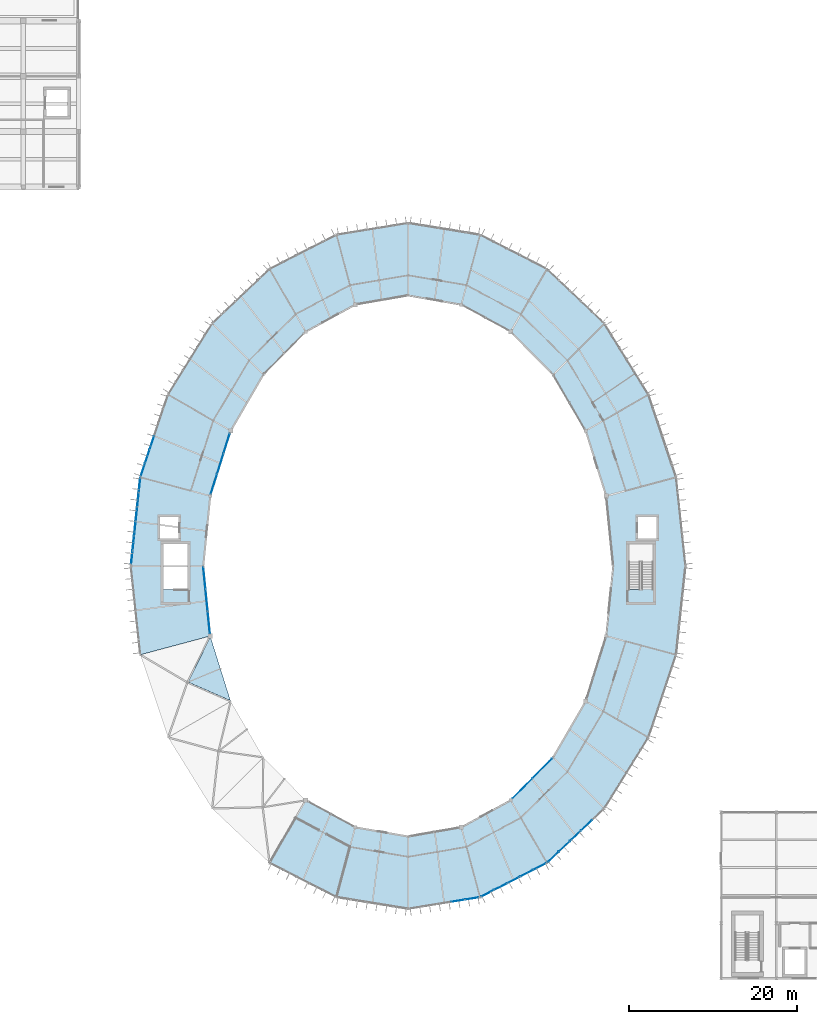
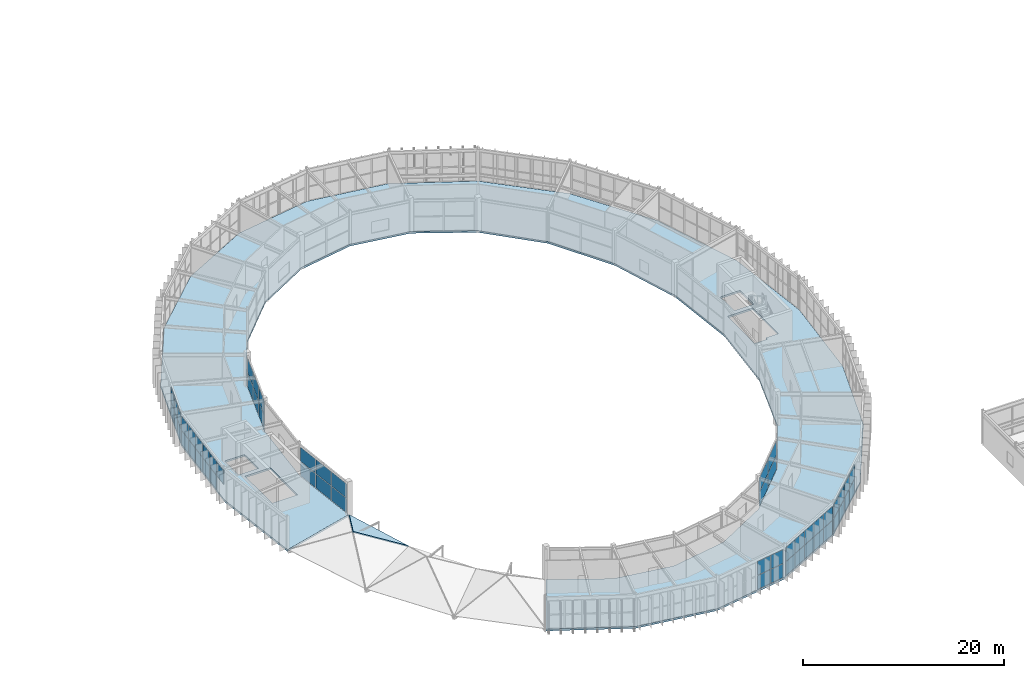
# One storey, part 80 of 106: 55 plates, 2 slabs, 8 elements without a shape of their own.
"""IFC4 building model written with IfcOpenShell, lengths in metres."""

import ifcopenshell
import ifcopenshell.guid

model = None  # the IFC model being written
_history = None  # IfcOwnerHistory: only IFC2X3 demands one
_inside = {}  # id of a spatial element -> (the spatial element, [elements in it])
_under = {}  # id of a project, library or spatial element -> (it, [spatial elements below it])
_declared = {}  # id of a project -> (the project, [libraries it declares])
_typed = {}  # id of a type object -> (the type object, [elements of that type])
_made_of = {}  # id of a material, layer set ... -> (it, [elements and type objects made of it])


def new_model(schema):
    """Start an empty IFC model of exactly this schema.

    Asked for "IFC4X3", IfcOpenShell would pick the latest addendum, in which some entities
    have other attributes; the version numbers below select the first issue.
    IFC2X3 requires an IfcOwnerHistory on every rooted entity: one is made here for all.
    """
    global model, _history
    if schema == "IFC4X3":
        model = ifcopenshell.file(schema_version=(4, 3, 0, 0))
    else:
        model = ifcopenshell.file(schema=schema)
    _inside.clear()
    _under.clear()
    _declared.clear()
    _typed.clear()
    _made_of.clear()
    _history = None
    if model.schema == "IFC2X3":
        org = make("IfcOrganization", Name="unknown")
        user = make(
            "IfcPersonAndOrganization",
            ThePerson=make("IfcPerson", FamilyName="unknown"),
            TheOrganization=org,
        )
        app = make(
            "IfcApplication",
            ApplicationDeveloper=org,
            Version="unknown",
            ApplicationFullName="unknown",
            ApplicationIdentifier="unknown",
        )
        _history = make(
            "IfcOwnerHistory",
            OwningUser=user,
            OwningApplication=app,
            ChangeAction="ADDED",
            CreationDate=0,
        )
    return model


def make(cls, **values):
    """One entity of the class cls with the attributes given. An attribute that is None is left unset."""
    return model.create_entity(
        cls, **{name: value for name, value in values.items() if value is not None}
    )


def rooted(cls, **values):
    """An entity with a GlobalId (a new one), such as an element, a storey or a relation."""
    return make(cls, GlobalId=ifcopenshell.guid.new(), OwnerHistory=_history, **values)


def si_unit(unit_type, name, prefix=None):
    """IfcSIUnit, for example si_unit("LENGTHUNIT", "METRE", prefix="MILLI")."""
    return make("IfcSIUnit", UnitType=unit_type, Prefix=prefix, Name=name)


def assignment(units):
    """IfcUnitAssignment: the units of a project."""
    return None if units is None else make("IfcUnitAssignment", Units=units)


def point(xyz):
    """IfcCartesianPoint."""
    return None if xyz is None else make("IfcCartesianPoint", Coordinates=xyz)


def direction(xyz):
    """IfcDirection."""
    return None if xyz is None else make("IfcDirection", DirectionRatios=xyz)


def frame(location, z_axis=None, x_axis=None):
    """IfcAxis2Placement3D, a coordinate frame: its origin and axes. An axis left out is left unset."""
    return make(
        "IfcAxis2Placement3D",
        Location=point(location),
        Axis=direction(z_axis),
        RefDirection=direction(x_axis),
    )


def frame_2d(location, x_axis=None):
    """IfcAxis2Placement2D, a coordinate frame in the plane: its origin and x axis."""
    return make(
        "IfcAxis2Placement2D", Location=point(location), RefDirection=direction(x_axis)
    )


def origin():
    """The frame at (0, 0, 0) with its axes left unset."""
    return frame((0.0, 0.0, 0.0))


def origin_2d():
    """The frame at (0, 0) in the plane with its x axis left unset."""
    return frame_2d((0.0, 0.0))


def place(relative_to, where):
    """IfcLocalPlacement: puts the frame where relative to a parent placement (None: the world)."""
    return make(
        "IfcLocalPlacement", PlacementRelTo=relative_to, RelativePlacement=where
    )


def context(
    kind, dimensions, precision=None, world=None, true_north=None, identifier=None
):
    """IfcGeometricRepresentationContext, for example the 3D "Model" context."""
    return make(
        "IfcGeometricRepresentationContext",
        ContextIdentifier=identifier,
        ContextType=kind,
        CoordinateSpaceDimension=dimensions,
        Precision=precision,
        WorldCoordinateSystem=world,
        TrueNorth=true_north,
    )


def subcontext(parent, identifier, kind, view, scale=None):
    """IfcGeometricRepresentationSubContext, for example "Body" below "Model"."""
    return make(
        "IfcGeometricRepresentationSubContext",
        ContextIdentifier=identifier,
        ContextType=kind,
        ParentContext=parent,
        TargetScale=scale,
        TargetView=view,
    )


def project(units=None, contexts=None):
    """IfcProject with its units and contexts."""
    return rooted(
        "IfcProject",
        Name="project",
        RepresentationContexts=contexts,
        UnitsInContext=assignment(units),
    )


def spatial(cls, under=None, at=None, **own):
    """A site, building, storey or space (cls), placed at a placement, below another one or the project."""
    s = rooted(cls, ObjectPlacement=at, **own)
    if under is not None:
        _under.setdefault(under.id(), (under, []))[1].append(s)
    return s


def polyline(points):
    """IfcPolyline through the points."""
    return make("IfcPolyline", Points=[point(p) for p in points])


def profile(cls, at=None, kind="AREA", **sizes):
    """A parametric profile (cls). Its sizes go by their IFC names, for example OverallWidth=200.0."""
    return make(cls, ProfileType=kind, Position=at, **sizes)


def rectangle(**sizes):
    """IfcRectangleProfileDef."""
    return profile("IfcRectangleProfileDef", **sizes)


def outline(outer, holes=None, kind="AREA"):
    """IfcArbitraryClosedProfileDef: a profile drawn as a closed curve; with holes, ...WithVoids."""
    if holes is None:
        return make("IfcArbitraryClosedProfileDef", ProfileType=kind, OuterCurve=outer)
    return make(
        "IfcArbitraryProfileDefWithVoids",
        ProfileType=kind,
        OuterCurve=outer,
        InnerCurves=holes,
    )


def extrude(swept, where, along, depth):
    """IfcExtrudedAreaSolid: the profile swept, set in the frame where, extruded along a direction by depth."""
    return make(
        "IfcExtrudedAreaSolid",
        SweptArea=swept,
        Position=where,
        ExtrudedDirection=direction(along),
        Depth=depth,
    )


def shape(context_of_items, identifier, shape_type, items):
    """IfcShapeRepresentation: the items that make up one representation, for example the "Body"."""
    return make(
        "IfcShapeRepresentation",
        ContextOfItems=context_of_items,
        RepresentationIdentifier=identifier,
        RepresentationType=shape_type,
        Items=items,
    )


def material(Name=None, Category=None):
    """IfcMaterial."""
    return make("IfcMaterial", Name=Name, Category=Category)


def layer(
    of_material, thickness, ventilated=None, Name=None, Category=None, Priority=None
):
    """IfcMaterialLayer: one layer of a wall or slab, of a material (None: an air gap)."""
    return make(
        "IfcMaterialLayer",
        Material=of_material,
        LayerThickness=thickness,
        IsVentilated=ventilated,
        Name=Name,
        Category=Category,
        Priority=Priority,
    )


def layer_set(layers, Name=None):
    """IfcMaterialLayerSet."""
    return make("IfcMaterialLayerSet", MaterialLayers=layers, LayerSetName=Name)


def made_of(thing, what):
    """Note that an element or type object is made of a material, layer set ...; save() writes the relation."""
    if what is not None:
        _made_of.setdefault(what.id(), (what, []))[1].append(thing)
    return thing


def type_object(cls, material=None, **own):
    """A type object (cls), such as IfcWallType, which elements share."""
    return made_of(rooted(cls, **own), material)


def element(
    cls,
    number,
    at=None,
    inside=None,
    cuts=None,
    type_object=None,
    material=None,
    context=None,
    identifier="Body",
    shape_type=None,
    held_by="IfcProductDefinitionShape",
    body=None,
    shapes=None,
    **own,
):
    """One element of the class cls, such as IfcWall. Its Tag is "e" and its number.

    at: its placement. inside: the storey or other place that contains it. cuts: it is an
    opening in that element (IfcRelVoidsElement). A single representation is given by context,
    identifier, shape_type and body (its items); several are given by shapes. held_by: the class
    of the entity that holds the representations. save() writes the other relations.
    """
    e = rooted(cls, Tag="e%d" % number, ObjectPlacement=at, **own)
    if body is not None:
        shapes = [shape(context, identifier, shape_type, body)]
    if shapes is not None:
        e.Representation = make(held_by, Representations=shapes)
    if inside is not None:
        _inside.setdefault(inside.id(), (inside, []))[1].append(e)
    if cuts is not None:
        rooted(
            "IfcRelVoidsElement", RelatingBuildingElement=cuts, RelatedOpeningElement=e
        )
    if type_object is not None:
        _typed.setdefault(type_object.id(), (type_object, []))[1].append(e)
    return made_of(e, material)


def aggregate(whole, parts):
    """IfcRelAggregates: a whole, such as a stair, and the parts it consists of."""
    return rooted("IfcRelAggregates", RelatingObject=whole, RelatedObjects=parts)


def save(model, path):
    """Write the relations noted so far, then the file.

    IfcRelAggregates (storeys below a building ...), IfcRelContainedInSpatialStructure (elements
    in a storey), IfcRelDefinesByType, IfcRelAssociatesMaterial and IfcRelDeclares: one each for
    every whole, place, type object, material and project.
    """
    for whole, parts in _under.values():
        aggregate(whole, parts)
    for where, things in _inside.values():
        rooted(
            "IfcRelContainedInSpatialStructure",
            RelatedElements=things,
            RelatingStructure=where,
        )
    for kind, things in _typed.values():
        rooted("IfcRelDefinesByType", RelatedObjects=things, RelatingType=kind)
    for what, things in _made_of.values():
        rooted("IfcRelAssociatesMaterial", RelatedObjects=things, RelatingMaterial=what)
    for by, libraries in _declared.values():
        rooted("IfcRelDeclares", RelatingContext=by, RelatedDefinitions=libraries)
    model.write(path)


model = new_model("IFC4")

# Units and contexts
model_context = context("Model", 3, precision=1e-05, world=origin(), true_north=direction((0.0, 1.0)))
body_context = subcontext(model_context, "Body", "Model", "MODEL_VIEW")
ifc_project = project(units=[si_unit("LENGTHUNIT", "METRE"), si_unit("AREAUNIT", "SQUARE_METRE"), si_unit("VOLUMEUNIT", "CUBIC_METRE"), si_unit("PLANEANGLEUNIT", "RADIAN"), si_unit("MASSUNIT", "GRAM", prefix="KILO")], contexts=[model_context])

# Site, building, storey
site_placement = place(None, origin())
site = spatial("IfcSite", under=ifc_project, at=site_placement, CompositionType="ELEMENT")
building_placement = place(site_placement, origin())
building = spatial("IfcBuilding", under=site, at=building_placement, Name="Karori Crest Natural Sciences Institute", CompositionType="ELEMENT")
storey_placement = place(building_placement, frame((0.0, 0.0, 25.89990234375)))
storey = spatial("IfcBuildingStorey", under=building, at=storey_placement, Name="L06", CompositionType="ELEMENT", Elevation=25.89990234375)

# Curtain wall, plates
ifc_material_1 = material(Name="Anodised architectural aluminium 6063-T6", Category="aluminium")
curtain_wall_type_1 = type_object("IfcCurtainWallType", Name="CWT-09", PredefinedType="NOTDEFINED", material=ifc_material_1)
curtain_wall_1_placement = place(storey_placement, origin())
curtain_wall_1 = element("IfcCurtainWall", 1, at=curtain_wall_1_placement, inside=storey, type_object=curtain_wall_type_1, Name="Curtain wall CW-0211", PredefinedType="NOTDEFINED")
ifc_material_2 = material(Name="Double low-E laminated glass", Category="glass")
ifc_layer_1 = layer(ifc_material_2, 0.02392578125, Name="Double low-E laminated glass")
ifc_layer_set_1 = layer_set([ifc_layer_1], Name="Double low-E laminated glass")
plate_type_1 = type_object("IfcPlateType", Name="CWP-01", PredefinedType="CURTAIN_PANEL", material=ifc_layer_set_1)
plate_1_placement = place(storey_placement, frame((73.970947265625, 10.332275390625, 0.065185546875), z_axis=(0.0, 0.0, 1.0), x_axis=(-0.987011397252, -0.160650246484, 0.0)))
plate_1 = element("IfcPlate", 2, at=plate_1_placement, type_object=plate_type_1, Name="CW-0211 panel 1.1", PredefinedType="CURTAIN_PANEL", context=body_context, shape_type="SweptSolid", body=[
    extrude(rectangle(XDim=1.582275390625, YDim=0.02392578125, at=origin_2d()), origin(), (0.0, 0.0, 1.0), 1.6650390625),
])
plate_2_placement = place(storey_placement, frame((73.970947265625, 10.332275390625, 1.795166015625), z_axis=(0.0, 0.0, 1.0), x_axis=(-0.987011397252, -0.160650246484, 0.0)))
plate_2 = element("IfcPlate", 3, at=plate_2_placement, type_object=plate_type_1, Name="CW-0211 panel 1.2", PredefinedType="CURTAIN_PANEL", context=body_context, shape_type="SweptSolid", body=[
    extrude(rectangle(XDim=1.582275390625, YDim=0.02392578125, at=origin_2d()), origin(), (0.0, 0.0, 1.0), 1.6650390625),
])
plate_3_placement = place(storey_placement, frame((72.328857421875, 10.06494140625, 0.065185546875), z_axis=(0.0, 0.0, 1.0), x_axis=(-0.987011397252, -0.160650246484, 0.0)))
plate_3 = element("IfcPlate", 4, at=plate_3_placement, type_object=plate_type_1, Name="CW-0211 panel 2.1", PredefinedType="CURTAIN_PANEL", context=body_context, shape_type="SweptSolid", body=[
    extrude(rectangle(XDim=1.61474609375, YDim=0.02392578125, at=origin_2d()), origin(), (0.0, 0.0, 1.0), 1.6650390625),
])
plate_4_placement = place(storey_placement, frame((72.328857421875, 10.06494140625, 1.795166015625), z_axis=(0.0, 0.0, 1.0), x_axis=(-0.987011397252, -0.160650246484, 0.0)))
plate_4 = element("IfcPlate", 5, at=plate_4_placement, type_object=plate_type_1, Name="CW-0211 panel 2.2", PredefinedType="CURTAIN_PANEL", context=body_context, shape_type="SweptSolid", body=[
    extrude(rectangle(XDim=1.61474609375, YDim=0.02392578125, at=origin_2d()), origin(), (0.0, 0.0, 1.0), 1.6650390625),
])
aggregate(curtain_wall_1, [plate_1, plate_2, plate_3, plate_4])

curtain_wall_type_2 = type_object("IfcCurtainWallType", Name="CWT-11", PredefinedType="NOTDEFINED", material=ifc_material_1)
curtain_wall_2_placement = place(storey_placement, origin())
curtain_wall_2 = element("IfcCurtainWall", 6, at=curtain_wall_2_placement, inside=storey, type_object=curtain_wall_type_2, Name="Curtain wall CW-0215", PredefinedType="NOTDEFINED")
plate_5_placement = place(storey_placement, frame((79.99658203125, 23.42822265625, 0.06005859375), z_axis=(0.0, 0.0, 1.0), x_axis=(0.702660818381, 0.711524963942, 0.0)))
plate_5 = element("IfcPlate", 7, at=plate_5_placement, type_object=plate_type_1, Name="CW-0215 panel 1.1", PredefinedType="CURTAIN_PANEL", context=body_context, shape_type="SweptSolid", body=[
    extrude(rectangle(XDim=3.286865234375, YDim=0.02392578125, at=origin_2d()), origin(), (0.0, 0.0, 1.0), 1.7099609375),
])
plate_6_placement = place(storey_placement, frame((79.99658203125, 23.42822265625, 1.830078125), z_axis=(0.0, 0.0, 1.0), x_axis=(0.702660818381, 0.711524963942, 0.0)))
plate_6 = element("IfcPlate", 8, at=plate_6_placement, type_object=plate_type_1, Name="CW-0215 panel 1.2", PredefinedType="CURTAIN_PANEL", context=body_context, shape_type="SweptSolid", body=[
    extrude(rectangle(XDim=3.286865234375, YDim=0.02392578125, at=origin_2d()), origin(), (0.0, 0.0, 1.0), 1.7099609375),
])
plate_7_placement = place(storey_placement, frame((82.351806640625, 25.813232421875, 0.06005859375), z_axis=(0.0, 0.0, 1.0), x_axis=(0.702660818381, 0.711524963942, 0.0)))
plate_7 = element("IfcPlate", 9, at=plate_7_placement, type_object=plate_type_1, Name="CW-0215 panel 2.1", PredefinedType="CURTAIN_PANEL", context=body_context, shape_type="SweptSolid", body=[
    extrude(rectangle(XDim=3.286865234375, YDim=0.02392578125, at=origin_2d()), origin(), (0.0, 0.0, 1.0), 1.7099609375),
])
plate_8_placement = place(storey_placement, frame((82.351806640625, 25.813232421875, 1.830078125), z_axis=(0.0, 0.0, 1.0), x_axis=(0.702660818381, 0.711524963942, 0.0)))
plate_8 = element("IfcPlate", 10, at=plate_8_placement, type_object=plate_type_1, Name="CW-0215 panel 2.2", PredefinedType="CURTAIN_PANEL", context=body_context, shape_type="SweptSolid", body=[
    extrude(rectangle(XDim=3.286865234375, YDim=0.02392578125, at=origin_2d()), origin(), (0.0, 0.0, 1.0), 1.7099609375),
])
aggregate(curtain_wall_2, [plate_5, plate_6, plate_7, plate_8])

curtain_wall_3_placement = place(storey_placement, origin())
curtain_wall_3 = element("IfcCurtainWall", 11, at=curtain_wall_3_placement, inside=storey, type_object=curtain_wall_type_2, Name="Curtain wall CW-0236", PredefinedType="NOTDEFINED")
plate_9_placement = place(storey_placement, frame((44.796875, 64.49560546875, 0.06005859375), z_axis=(0.0, 0.0, 1.0), x_axis=(-0.299475254154, -0.954104067778, 0.0)))
plate_9 = element("IfcPlate", 12, at=plate_9_placement, type_object=plate_type_1, Name="CW-0236 panel 1.1", PredefinedType="CURTAIN_PANEL", context=body_context, shape_type="SweptSolid", body=[
    extrude(rectangle(XDim=2.451171875, YDim=0.02392578125, at=origin_2d()), origin(), (0.0, 0.0, 1.0), 1.7099609375),
])
plate_10_placement = place(storey_placement, frame((44.796875, 64.49560546875, 1.830078125), z_axis=(0.0, 0.0, 1.0), x_axis=(-0.299475254154, -0.954104067778, 0.0)))
plate_10 = element("IfcPlate", 13, at=plate_10_placement, type_object=plate_type_1, Name="CW-0236 panel 1.2", PredefinedType="CURTAIN_PANEL", context=body_context, shape_type="SweptSolid", body=[
    extrude(rectangle(XDim=2.451171875, YDim=0.02392578125, at=origin_2d()), origin(), (0.0, 0.0, 1.0), 1.7099609375),
])
plate_11_placement = place(storey_placement, frame((44.038330078125, 62.07958984375, 0.06005859375), z_axis=(0.0, 0.0, 1.0), x_axis=(-0.299475254154, -0.954104067778, 0.0)))
plate_11 = element("IfcPlate", 14, at=plate_11_placement, type_object=plate_type_1, Name="CW-0236 panel 2.1", PredefinedType="CURTAIN_PANEL", context=body_context, shape_type="SweptSolid", body=[
    extrude(rectangle(XDim=2.483642578125, YDim=0.02392578125, at=origin_2d()), origin(), (0.0, 0.0, 1.0), 1.7099609375),
])
plate_12_placement = place(storey_placement, frame((44.038330078125, 62.07958984375, 1.830078125), z_axis=(0.0, 0.0, 1.0), x_axis=(-0.299475254154, -0.954104067778, 0.0)))
plate_12 = element("IfcPlate", 15, at=plate_12_placement, type_object=plate_type_1, Name="CW-0236 panel 2.2", PredefinedType="CURTAIN_PANEL", context=body_context, shape_type="SweptSolid", body=[
    extrude(rectangle(XDim=2.483642578125, YDim=0.02392578125, at=origin_2d()), origin(), (0.0, 0.0, 1.0), 1.7099609375),
])
plate_13_placement = place(storey_placement, frame((43.280029296875, 59.663330078125, 0.06005859375), z_axis=(0.0, 0.0, 1.0), x_axis=(-0.299475254154, -0.954104067778, 0.0)))
plate_13 = element("IfcPlate", 16, at=plate_13_placement, type_object=plate_type_1, Name="CW-0236 panel 3.1", PredefinedType="CURTAIN_PANEL", context=body_context, shape_type="SweptSolid", body=[
    extrude(rectangle(XDim=2.451171875, YDim=0.02392578125, at=origin_2d()), origin(), (0.0, 0.0, 1.0), 1.7099609375),
])
plate_14_placement = place(storey_placement, frame((43.280029296875, 59.663330078125, 1.830078125), z_axis=(0.0, 0.0, 1.0), x_axis=(-0.299475254154, -0.954104067778, 0.0)))
plate_14 = element("IfcPlate", 17, at=plate_14_placement, type_object=plate_type_1, Name="CW-0236 panel 3.2", PredefinedType="CURTAIN_PANEL", context=body_context, shape_type="SweptSolid", body=[
    extrude(rectangle(XDim=2.451171875, YDim=0.02392578125, at=origin_2d()), origin(), (0.0, 0.0, 1.0), 1.7099609375),
])
aggregate(curtain_wall_3, [plate_9, plate_10, plate_11, plate_12, plate_13, plate_14])

curtain_wall_type_3 = type_object("IfcCurtainWallType", Name="CWT-13", PredefinedType="NOTDEFINED", material=ifc_material_1)
curtain_wall_4_placement = place(storey_placement, origin())
curtain_wall_4 = element("IfcCurtainWall", 18, at=curtain_wall_4_placement, inside=storey, type_object=curtain_wall_type_3, Name="Curtain wall CW-0239", PredefinedType="NOTDEFINED")
plate_15_placement = place(storey_placement, frame((42.144287109375, 48.45458984375, 0.06005859375), z_axis=(0.0, 0.0, 1.0), x_axis=(0.099268494275, -0.995060684604, 0.0)))
plate_15 = element("IfcPlate", 19, at=plate_15_placement, type_object=plate_type_1, Name="CW-0239 panel 1.1", PredefinedType="CURTAIN_PANEL", context=body_context, shape_type="SweptSolid", body=[
    extrude(rectangle(XDim=2.568359375, YDim=0.02392578125, at=origin_2d()), origin(), (0.0, 0.0, 1.0), 1.7099609375),
])
plate_16_placement = place(storey_placement, frame((42.144287109375, 48.45458984375, 1.830078125), z_axis=(0.0, 0.0, 1.0), x_axis=(0.099268494275, -0.995060684604, 0.0)))
plate_16 = element("IfcPlate", 20, at=plate_16_placement, type_object=plate_type_1, Name="CW-0239 panel 1.2", PredefinedType="CURTAIN_PANEL", context=body_context, shape_type="SweptSolid", body=[
    extrude(rectangle(XDim=2.568359375, YDim=0.02392578125, at=origin_2d()), origin(), (0.0, 0.0, 1.0), 1.7099609375),
])
plate_17_placement = place(storey_placement, frame((42.4072265625, 45.818115234375, 0.06005859375), z_axis=(0.0, 0.0, 1.0), x_axis=(0.099268494275, -0.995060684604, 0.0)))
plate_17 = element("IfcPlate", 21, at=plate_17_placement, type_object=plate_type_1, Name="CW-0239 panel 2.1", PredefinedType="CURTAIN_PANEL", context=body_context, shape_type="SweptSolid", body=[
    extrude(rectangle(XDim=2.600830078125, YDim=0.02392578125, at=origin_2d()), origin(), (0.0, 0.0, 1.0), 1.7099609375),
])
plate_18_placement = place(storey_placement, frame((42.4072265625, 45.818115234375, 1.830078125), z_axis=(0.0, 0.0, 1.0), x_axis=(0.099268494275, -0.995060684604, 0.0)))
plate_18 = element("IfcPlate", 22, at=plate_18_placement, type_object=plate_type_1, Name="CW-0239 panel 2.2", PredefinedType="CURTAIN_PANEL", context=body_context, shape_type="SweptSolid", body=[
    extrude(rectangle(XDim=2.600830078125, YDim=0.02392578125, at=origin_2d()), origin(), (0.0, 0.0, 1.0), 1.7099609375),
])
plate_19_placement = place(storey_placement, frame((42.670166015625, 43.181396484375, 0.06005859375), z_axis=(0.0, 0.0, 1.0), x_axis=(0.099268494275, -0.995060684604, 0.0)))
plate_19 = element("IfcPlate", 23, at=plate_19_placement, type_object=plate_type_1, Name="CW-0239 panel 3.1", PredefinedType="CURTAIN_PANEL", context=body_context, shape_type="SweptSolid", body=[
    extrude(rectangle(XDim=2.568359375, YDim=0.02392578125, at=origin_2d()), origin(), (0.0, 0.0, 1.0), 1.7099609375),
])
plate_20_placement = place(storey_placement, frame((42.670166015625, 43.181396484375, 1.830078125), z_axis=(0.0, 0.0, 1.0), x_axis=(0.099268494275, -0.995060684604, 0.0)))
plate_20 = element("IfcPlate", 24, at=plate_20_placement, type_object=plate_type_1, Name="CW-0239 panel 3.2", PredefinedType="CURTAIN_PANEL", context=body_context, shape_type="SweptSolid", body=[
    extrude(rectangle(XDim=2.568359375, YDim=0.02392578125, at=origin_2d()), origin(), (0.0, 0.0, 1.0), 1.7099609375),
])
aggregate(curtain_wall_4, [plate_15, plate_16, plate_17, plate_18, plate_19, plate_20])

curtain_wall_type_4 = type_object("IfcCurtainWallType", Name="CWT-10", PredefinedType="NOTDEFINED", material=ifc_material_1)
curtain_wall_5_placement = place(storey_placement, origin())
curtain_wall_5 = element("IfcCurtainWall", 25, at=curtain_wall_5_placement, inside=storey, type_object=curtain_wall_type_4, Name="Curtain wall CW-0213", PredefinedType="NOTDEFINED")
ifc_layer_2 = layer(ifc_material_2, 0.033935546875, Name="Double low-E laminated glass")
ifc_layer_set_2 = layer_set([ifc_layer_2], Name="Double low-E laminated glass")
plate_type_2 = type_object("IfcPlateType", Name="CWP-02", PredefinedType="CURTAIN_PANEL", material=ifc_layer_set_2)
plate_21_placement = place(storey_placement, frame((82.034423828125, 14.123046875, 0.06005859375), z_axis=(0.0, 0.0, 1.0), x_axis=(-0.890067432138, -0.455828878252, 0.0)))
plate_21 = element("IfcPlate", 26, at=plate_21_placement, type_object=plate_type_2, Name="CW-0213 panel 1.1", PredefinedType="CURTAIN_PANEL", context=body_context, shape_type="SweptSolid", body=[
    extrude(rectangle(XDim=1.645751953125, YDim=0.033935546875, at=origin_2d()), origin(), (0.0, 0.0, 1.0), 1.672607421875),
])
plate_22_placement = place(storey_placement, frame((82.034423828125, 14.123046875, 1.79248046875), z_axis=(0.0, 0.0, 1.0), x_axis=(-0.890067432138, -0.455828878252, 0.0)))
plate_22 = element("IfcPlate", 27, at=plate_22_placement, type_object=plate_type_2, Name="CW-0213 panel 1.2", PredefinedType="CURTAIN_PANEL", context=body_context, shape_type="SweptSolid", body=[
    extrude(rectangle(XDim=1.645751953125, YDim=0.033935546875, at=origin_2d()), origin(), (0.0, 0.0, 1.0), 1.672607421875),
])
plate_23_placement = place(storey_placement, frame((80.497314453125, 13.335693359375, 0.06005859375), z_axis=(0.0, 0.0, 1.0), x_axis=(-0.890067432138, -0.455828878252, 0.0)))
plate_23 = element("IfcPlate", 28, at=plate_23_placement, type_object=plate_type_2, Name="CW-0213 panel 2.1", PredefinedType="CURTAIN_PANEL", context=body_context, shape_type="SweptSolid", body=[
    extrude(rectangle(XDim=1.678466796875, YDim=0.033935546875, at=origin_2d()), origin(), (0.0, 0.0, 1.0), 1.672607421875),
])
plate_24_placement = place(storey_placement, frame((80.497314453125, 13.335693359375, 1.79248046875), z_axis=(0.0, 0.0, 1.0), x_axis=(-0.890067432138, -0.455828878252, 0.0)))
plate_24 = element("IfcPlate", 29, at=plate_24_placement, type_object=plate_type_2, Name="CW-0213 panel 2.2", PredefinedType="CURTAIN_PANEL", context=body_context, shape_type="SweptSolid", body=[
    extrude(rectangle(XDim=1.678466796875, YDim=0.033935546875, at=origin_2d()), origin(), (0.0, 0.0, 1.0), 1.672607421875),
])
plate_25_placement = place(storey_placement, frame((78.945556640625, 12.541015625, 0.06005859375), z_axis=(0.0, 0.0, 1.0), x_axis=(-0.890067432138, -0.455828878252, 0.0)))
plate_25 = element("IfcPlate", 30, at=plate_25_placement, type_object=plate_type_2, Name="CW-0213 panel 3.1", PredefinedType="CURTAIN_PANEL", context=body_context, shape_type="SweptSolid", body=[
    extrude(rectangle(XDim=1.678466796875, YDim=0.033935546875, at=origin_2d()), origin(), (0.0, 0.0, 1.0), 1.672607421875),
])
plate_26_placement = place(storey_placement, frame((78.945556640625, 12.541015625, 1.79248046875), z_axis=(0.0, 0.0, 1.0), x_axis=(-0.890067432138, -0.455828878252, 0.0)))
plate_26 = element("IfcPlate", 31, at=plate_26_placement, type_object=plate_type_2, Name="CW-0213 panel 3.2", PredefinedType="CURTAIN_PANEL", context=body_context, shape_type="SweptSolid", body=[
    extrude(rectangle(XDim=1.678466796875, YDim=0.033935546875, at=origin_2d()), origin(), (0.0, 0.0, 1.0), 1.672607421875),
])
plate_27_placement = place(storey_placement, frame((77.393798828125, 11.746337890625, 0.06005859375), z_axis=(0.0, 0.0, 1.0), x_axis=(-0.890067432138, -0.455828878252, 0.0)))
plate_27 = element("IfcPlate", 32, at=plate_27_placement, type_object=plate_type_2, Name="CW-0213 panel 4.1", PredefinedType="CURTAIN_PANEL", context=body_context, shape_type="SweptSolid", body=[
    extrude(rectangle(XDim=1.678466796875, YDim=0.033935546875, at=origin_2d()), origin(), (0.0, 0.0, 1.0), 1.672607421875),
])
plate_28_placement = place(storey_placement, frame((77.393798828125, 11.746337890625, 1.79248046875), z_axis=(0.0, 0.0, 1.0), x_axis=(-0.890067432138, -0.455828878252, 0.0)))
plate_28 = element("IfcPlate", 33, at=plate_28_placement, type_object=plate_type_2, Name="CW-0213 panel 4.2", PredefinedType="CURTAIN_PANEL", context=body_context, shape_type="SweptSolid", body=[
    extrude(rectangle(XDim=1.678466796875, YDim=0.033935546875, at=origin_2d()), origin(), (0.0, 0.0, 1.0), 1.672607421875),
])
plate_29_placement = place(storey_placement, frame((75.8564453125, 10.958984375, 0.06005859375), z_axis=(0.0, 0.0, 1.0), x_axis=(-0.890067432138, -0.455828878252, 0.0)))
plate_29 = element("IfcPlate", 34, at=plate_29_placement, type_object=plate_type_2, Name="CW-0213 panel 5.1", PredefinedType="CURTAIN_PANEL", context=body_context, shape_type="SweptSolid", body=[
    extrude(rectangle(XDim=1.645751953125, YDim=0.033935546875, at=origin_2d()), origin(), (0.0, 0.0, 1.0), 1.672607421875),
])
plate_30_placement = place(storey_placement, frame((75.8564453125, 10.958984375, 1.79248046875), z_axis=(0.0, 0.0, 1.0), x_axis=(-0.890067432138, -0.455828878252, 0.0)))
plate_30 = element("IfcPlate", 35, at=plate_30_placement, type_object=plate_type_2, Name="CW-0213 panel 5.2", PredefinedType="CURTAIN_PANEL", context=body_context, shape_type="SweptSolid", body=[
    extrude(rectangle(XDim=1.645751953125, YDim=0.033935546875, at=origin_2d()), origin(), (0.0, 0.0, 1.0), 1.672607421875),
])
aggregate(curtain_wall_5, [plate_21, plate_22, plate_23, plate_24, plate_25, plate_26, plate_27, plate_28, plate_29, plate_30])

curtain_wall_type_5 = type_object("IfcCurtainWallType", Name="CWT-01", PredefinedType="NOTDEFINED", material=ifc_material_1)
curtain_wall_6_placement = place(storey_placement, origin())
curtain_wall_6 = element("IfcCurtainWall", 36, at=curtain_wall_6_placement, inside=storey, type_object=curtain_wall_type_5, Name="Curtain wall CW-0235", PredefinedType="NOTDEFINED")
plate_31_placement = place(storey_placement, frame((34.8251953125, 61.357421875, 0.065185546875), z_axis=(0.0, 0.0, 1.0), x_axis=(0.317679803392, 0.94819805026, 0.0)))
plate_31 = element("IfcPlate", 37, at=plate_31_placement, type_object=plate_type_2, Name="CW-0235 panel 1.1", PredefinedType="CURTAIN_PANEL", context=body_context, shape_type="SweptSolid", body=[
    extrude(rectangle(XDim=1.59619140625, YDim=0.033935546875, at=origin_2d()), origin(), (0.0, 0.0, 1.0), 1.6650390625),
])
plate_32_placement = place(storey_placement, frame((34.8251953125, 61.357421875, 1.795166015625), z_axis=(0.0, 0.0, 1.0), x_axis=(0.317679803392, 0.94819805026, 0.0)))
plate_32 = element("IfcPlate", 38, at=plate_32_placement, type_object=plate_type_2, Name="CW-0235 panel 1.2", PredefinedType="CURTAIN_PANEL", context=body_context, shape_type="SweptSolid", body=[
    extrude(rectangle(XDim=1.59619140625, YDim=0.033935546875, at=origin_2d()), origin(), (0.0, 0.0, 1.0), 1.6650390625),
])
plate_33_placement = place(storey_placement, frame((35.35791015625, 62.947998046875, 0.065185546875), z_axis=(0.0, 0.0, 1.0), x_axis=(0.317679803392, 0.94819805026, 0.0)))
plate_33 = element("IfcPlate", 39, at=plate_33_placement, type_object=plate_type_2, Name="CW-0235 panel 2.1", PredefinedType="CURTAIN_PANEL", context=body_context, shape_type="SweptSolid", body=[
    extrude(rectangle(XDim=1.628662109375, YDim=0.033935546875, at=origin_2d()), origin(), (0.0, 0.0, 1.0), 1.6650390625),
])
plate_34_placement = place(storey_placement, frame((35.35791015625, 62.947998046875, 1.795166015625), z_axis=(0.0, 0.0, 1.0), x_axis=(0.317679803392, 0.94819805026, 0.0)))
plate_34 = element("IfcPlate", 40, at=plate_34_placement, type_object=plate_type_2, Name="CW-0235 panel 2.2", PredefinedType="CURTAIN_PANEL", context=body_context, shape_type="SweptSolid", body=[
    extrude(rectangle(XDim=1.628662109375, YDim=0.033935546875, at=origin_2d()), origin(), (0.0, 0.0, 1.0), 1.6650390625),
])
plate_35_placement = place(storey_placement, frame((35.89599609375, 64.553955078125, 0.065185546875), z_axis=(0.0, 0.0, 1.0), x_axis=(0.317679803392, 0.94819805026, 0.0)))
plate_35 = element("IfcPlate", 41, at=plate_35_placement, type_object=plate_type_2, Name="CW-0235 panel 3.1", PredefinedType="CURTAIN_PANEL", context=body_context, shape_type="SweptSolid", body=[
    extrude(rectangle(XDim=1.628662109375, YDim=0.033935546875, at=origin_2d()), origin(), (0.0, 0.0, 1.0), 1.6650390625),
])
plate_36_placement = place(storey_placement, frame((35.89599609375, 64.553955078125, 1.795166015625), z_axis=(0.0, 0.0, 1.0), x_axis=(0.317679803392, 0.94819805026, 0.0)))
plate_36 = element("IfcPlate", 42, at=plate_36_placement, type_object=plate_type_2, Name="CW-0235 panel 3.2", PredefinedType="CURTAIN_PANEL", context=body_context, shape_type="SweptSolid", body=[
    extrude(rectangle(XDim=1.628662109375, YDim=0.033935546875, at=origin_2d()), origin(), (0.0, 0.0, 1.0), 1.6650390625),
])
aggregate(curtain_wall_6, [plate_31, plate_32, plate_33, plate_34, plate_35, plate_36])

curtain_wall_7_placement = place(storey_placement, origin())
curtain_wall_7 = element("IfcCurtainWall", 43, at=curtain_wall_7_placement, inside=storey, type_object=curtain_wall_type_5, Name="Curtain wall CW-0214", PredefinedType="NOTDEFINED")
ifc_layer_3 = layer(ifc_material_2, 0.0439453125, Name="Double low-E laminated glass")
ifc_layer_set_3 = layer_set([ifc_layer_3], Name="Double low-E laminated glass")
plate_type_3 = type_object("IfcPlateType", Name="CWP-03", PredefinedType="CURTAIN_PANEL", material=ifc_layer_set_3)
plate_37_placement = place(storey_placement, frame((87.6181640625, 19.042236328125, 0.065185546875), z_axis=(0.0, 0.0, 1.0), x_axis=(-0.725473081026, -0.688250542104, 0.0)))
plate_37 = element("IfcPlate", 44, at=plate_37_placement, type_object=plate_type_3, Name="CW-0214 panel 2.1", PredefinedType="CURTAIN_PANEL", context=body_context, shape_type="SweptSolid", body=[
    extrude(rectangle(XDim=1.763427734375, YDim=0.0439453125, at=origin_2d()), origin(), (0.0, 0.0, 1.0), 1.6650390625),
])
plate_38_placement = place(storey_placement, frame((87.6181640625, 19.042236328125, 1.795166015625), z_axis=(0.0, 0.0, 1.0), x_axis=(-0.725473081026, -0.688250542104, 0.0)))
plate_38 = element("IfcPlate", 45, at=plate_38_placement, type_object=plate_type_3, Name="CW-0214 panel 2.2", PredefinedType="CURTAIN_PANEL", context=body_context, shape_type="SweptSolid", body=[
    extrude(rectangle(XDim=1.763427734375, YDim=0.0439453125, at=origin_2d()), origin(), (0.0, 0.0, 1.0), 1.6650390625),
])
plate_39_placement = place(storey_placement, frame((86.291748046875, 17.783935546875, 0.065185546875), z_axis=(0.0, 0.0, 1.0), x_axis=(-0.725473081026, -0.688250542104, 0.0)))
plate_39 = element("IfcPlate", 46, at=plate_39_placement, type_object=plate_type_3, Name="CW-0214 panel 3.1", PredefinedType="CURTAIN_PANEL", context=body_context, shape_type="SweptSolid", body=[
    extrude(rectangle(XDim=1.763427734375, YDim=0.0439453125, at=origin_2d()), origin(), (0.0, 0.0, 1.0), 1.6650390625),
])
plate_40_placement = place(storey_placement, frame((86.291748046875, 17.783935546875, 1.795166015625), z_axis=(0.0, 0.0, 1.0), x_axis=(-0.725473081026, -0.688250542104, 0.0)))
plate_40 = element("IfcPlate", 47, at=plate_40_placement, type_object=plate_type_3, Name="CW-0214 panel 3.2", PredefinedType="CURTAIN_PANEL", context=body_context, shape_type="SweptSolid", body=[
    extrude(rectangle(XDim=1.763427734375, YDim=0.0439453125, at=origin_2d()), origin(), (0.0, 0.0, 1.0), 1.6650390625),
])
plate_41_placement = place(storey_placement, frame((84.96533203125, 16.525390625, 0.065185546875), z_axis=(0.0, 0.0, 1.0), x_axis=(-0.725473081026, -0.688250542104, 0.0)))
plate_41 = element("IfcPlate", 48, at=plate_41_placement, type_object=plate_type_3, Name="CW-0214 panel 4.1", PredefinedType="CURTAIN_PANEL", context=body_context, shape_type="SweptSolid", body=[
    extrude(rectangle(XDim=1.763427734375, YDim=0.0439453125, at=origin_2d()), origin(), (0.0, 0.0, 1.0), 1.6650390625),
])
plate_42_placement = place(storey_placement, frame((84.96533203125, 16.525390625, 1.795166015625), z_axis=(0.0, 0.0, 1.0), x_axis=(-0.725473081026, -0.688250542104, 0.0)))
plate_42 = element("IfcPlate", 49, at=plate_42_placement, type_object=plate_type_3, Name="CW-0214 panel 4.2", PredefinedType="CURTAIN_PANEL", context=body_context, shape_type="SweptSolid", body=[
    extrude(rectangle(XDim=1.763427734375, YDim=0.0439453125, at=origin_2d()), origin(), (0.0, 0.0, 1.0), 1.6650390625),
])
plate_43_placement = place(storey_placement, frame((83.650634765625, 15.2783203125, 0.065185546875), z_axis=(0.0, 0.0, 1.0), x_axis=(-0.725473081026, -0.688250542104, 0.0)))
plate_43 = element("IfcPlate", 50, at=plate_43_placement, type_object=plate_type_3, Name="CW-0214 panel 5.1", PredefinedType="CURTAIN_PANEL", context=body_context, shape_type="SweptSolid", body=[
    extrude(rectangle(XDim=1.73095703125, YDim=0.0439453125, at=origin_2d()), origin(), (0.0, 0.0, 1.0), 1.6650390625),
])
plate_44_placement = place(storey_placement, frame((83.650634765625, 15.2783203125, 1.795166015625), z_axis=(0.0, 0.0, 1.0), x_axis=(-0.725473081026, -0.688250542104, 0.0)))
plate_44 = element("IfcPlate", 51, at=plate_44_placement, type_object=plate_type_3, Name="CW-0214 panel 5.2", PredefinedType="CURTAIN_PANEL", context=body_context, shape_type="SweptSolid", body=[
    extrude(rectangle(XDim=1.73095703125, YDim=0.0439453125, at=origin_2d()), origin(), (0.0, 0.0, 1.0), 1.6650390625),
])
aggregate(curtain_wall_7, [plate_37, plate_38, plate_39, plate_40, plate_41, plate_42, plate_43, plate_44])

curtain_wall_type_6 = type_object("IfcCurtainWallType", Name="CWT-02", PredefinedType="NOTDEFINED", material=ifc_material_1)
curtain_wall_8_placement = place(storey_placement, origin())
curtain_wall_8 = element("IfcCurtainWall", 52, at=curtain_wall_8_placement, inside=storey, type_object=curtain_wall_type_6, Name="Curtain wall CW-0237", PredefinedType="NOTDEFINED")
plate_45_placement = place(storey_placement, frame((33.507080078125, 50.906982421875, 1.79248046875), z_axis=(0.0, 0.0, 1.0), x_axis=(0.105885677057, 0.994378309998, 0.0)))
plate_45 = element("IfcPlate", 53, at=plate_45_placement, type_object=plate_type_3, Name="CW-0237 panel 1.2", PredefinedType="CURTAIN_PANEL", context=body_context, shape_type="SweptSolid", body=[
    extrude(rectangle(XDim=1.6376953125, YDim=0.0439453125, at=origin_2d()), origin(), (0.0, 0.0, 1.0), 1.672607421875),
])
plate_46_placement = place(storey_placement, frame((33.689208984375, 52.6162109375, 0.06005859375), z_axis=(0.0, 0.0, 1.0), x_axis=(0.105885677057, 0.994378309998, 0.0)))
plate_46 = element("IfcPlate", 54, at=plate_46_placement, type_object=plate_type_3, Name="CW-0237 panel 2.1", PredefinedType="CURTAIN_PANEL", context=body_context, shape_type="SweptSolid", body=[
    extrude(rectangle(XDim=1.670166015625, YDim=0.0439453125, at=origin_2d()), origin(), (0.0, 0.0, 1.0), 1.672607421875),
])
plate_47_placement = place(storey_placement, frame((33.689208984375, 52.6162109375, 1.79248046875), z_axis=(0.0, 0.0, 1.0), x_axis=(0.105885677057, 0.994378309998, 0.0)))
plate_47 = element("IfcPlate", 55, at=plate_47_placement, type_object=plate_type_3, Name="CW-0237 panel 2.2", PredefinedType="CURTAIN_PANEL", context=body_context, shape_type="SweptSolid", body=[
    extrude(rectangle(XDim=1.670166015625, YDim=0.0439453125, at=origin_2d()), origin(), (0.0, 0.0, 1.0), 1.672607421875),
])
plate_48_placement = place(storey_placement, frame((33.873046875, 54.341552734375, 0.06005859375), z_axis=(0.0, 0.0, 1.0), x_axis=(0.105885677057, 0.994378309998, 0.0)))
plate_48 = element("IfcPlate", 56, at=plate_48_placement, type_object=plate_type_3, Name="CW-0237 panel 3.1", PredefinedType="CURTAIN_PANEL", context=body_context, shape_type="SweptSolid", body=[
    extrude(rectangle(XDim=1.670166015625, YDim=0.0439453125, at=origin_2d()), origin(), (0.0, 0.0, 1.0), 1.672607421875),
])
plate_49_placement = place(storey_placement, frame((33.873046875, 54.341552734375, 1.79248046875), z_axis=(0.0, 0.0, 1.0), x_axis=(0.105885677057, 0.994378309998, 0.0)))
plate_49 = element("IfcPlate", 57, at=plate_49_placement, type_object=plate_type_3, Name="CW-0237 panel 3.2", PredefinedType="CURTAIN_PANEL", context=body_context, shape_type="SweptSolid", body=[
    extrude(rectangle(XDim=1.670166015625, YDim=0.0439453125, at=origin_2d()), origin(), (0.0, 0.0, 1.0), 1.672607421875),
])
plate_50_placement = place(storey_placement, frame((34.056640625, 56.067138671875, 0.06005859375), z_axis=(0.0, 0.0, 1.0), x_axis=(0.105885677057, 0.994378309998, 0.0)))
plate_50 = element("IfcPlate", 58, at=plate_50_placement, type_object=plate_type_3, Name="CW-0237 panel 4.1", PredefinedType="CURTAIN_PANEL", context=body_context, shape_type="SweptSolid", body=[
    extrude(rectangle(XDim=1.670166015625, YDim=0.0439453125, at=origin_2d()), origin(), (0.0, 0.0, 1.0), 1.672607421875),
])
plate_51_placement = place(storey_placement, frame((34.056640625, 56.067138671875, 1.79248046875), z_axis=(0.0, 0.0, 1.0), x_axis=(0.105885677057, 0.994378309998, 0.0)))
plate_51 = element("IfcPlate", 59, at=plate_51_placement, type_object=plate_type_3, Name="CW-0237 panel 4.2", PredefinedType="CURTAIN_PANEL", context=body_context, shape_type="SweptSolid", body=[
    extrude(rectangle(XDim=1.670166015625, YDim=0.0439453125, at=origin_2d()), origin(), (0.0, 0.0, 1.0), 1.672607421875),
])
plate_52_placement = place(storey_placement, frame((34.240478515625, 57.79248046875, 0.06005859375), z_axis=(0.0, 0.0, 1.0), x_axis=(0.105885677057, 0.994378309998, 0.0)))
plate_52 = element("IfcPlate", 60, at=plate_52_placement, type_object=plate_type_3, Name="CW-0237 panel 5.1", PredefinedType="CURTAIN_PANEL", context=body_context, shape_type="SweptSolid", body=[
    extrude(rectangle(XDim=1.670166015625, YDim=0.0439453125, at=origin_2d()), origin(), (0.0, 0.0, 1.0), 1.672607421875),
])
plate_53_placement = place(storey_placement, frame((34.240478515625, 57.79248046875, 1.79248046875), z_axis=(0.0, 0.0, 1.0), x_axis=(0.105885677057, 0.994378309998, 0.0)))
plate_53 = element("IfcPlate", 61, at=plate_53_placement, type_object=plate_type_3, Name="CW-0237 panel 5.2", PredefinedType="CURTAIN_PANEL", context=body_context, shape_type="SweptSolid", body=[
    extrude(rectangle(XDim=1.670166015625, YDim=0.0439453125, at=origin_2d()), origin(), (0.0, 0.0, 1.0), 1.672607421875),
])
plate_54_placement = place(storey_placement, frame((34.42236328125, 59.501708984375, 0.06005859375), z_axis=(0.0, 0.0, 1.0), x_axis=(0.105885677057, 0.994378309998, 0.0)))
plate_54 = element("IfcPlate", 62, at=plate_54_placement, type_object=plate_type_3, Name="CW-0237 panel 6.1", PredefinedType="CURTAIN_PANEL", context=body_context, shape_type="SweptSolid", body=[
    extrude(rectangle(XDim=1.6376953125, YDim=0.0439453125, at=origin_2d()), origin(), (0.0, 0.0, 1.0), 1.672607421875),
])
plate_55_placement = place(storey_placement, frame((34.42236328125, 59.501708984375, 1.79248046875), z_axis=(0.0, 0.0, 1.0), x_axis=(0.105885677057, 0.994378309998, 0.0)))
plate_55 = element("IfcPlate", 63, at=plate_55_placement, type_object=plate_type_3, Name="CW-0237 panel 6.2", PredefinedType="CURTAIN_PANEL", context=body_context, shape_type="SweptSolid", body=[
    extrude(rectangle(XDim=1.6376953125, YDim=0.0439453125, at=origin_2d()), origin(), (0.0, 0.0, 1.0), 1.672607421875),
])
aggregate(curtain_wall_8, [plate_45, plate_46, plate_47, plate_48, plate_49, plate_50, plate_51, plate_52, plate_53, plate_54, plate_55])

# Slabs
ifc_material_3 = material(Name="Concrete 40 MPa", Category="concrete")
ifc_layer_4 = layer(ifc_material_3, 0.219970703125, Name="Concrete 40 MPa")
ifc_layer_set_4 = layer_set([ifc_layer_4], Name="Concrete 40 MPa")
slab_type_1 = type_object("IfcSlabType", Name="SLT-07", PredefinedType="FLOOR", material=ifc_layer_set_4)
slab_1_placement = place(storey_placement, frame((0.0, 0.0, -0.219970703125)))
element("IfcSlab", 64, at=slab_1_placement, inside=storey, type_object=slab_type_1, Name="V1 Slab SL-0008", PredefinedType="FLOOR", context=body_context, shape_type="SweptSolid", body=[
    extrude(outline(polyline([(49.89990234375, 14.566162109375), (57.85888671875, 10.490234375), (66.39990234375, 9.10009765625), (74.94091796875, 10.490234375), (82.89990234375, 14.566162109375), (89.734619140625, 21.050048828125), (94.978759765625, 29.5), (98.275634765625, 39.340087890625), (99.39990234375, 49.89990234375), (98.275634765625, 60.459716796875), (94.978759765625, 70.300048828125), (89.734619140625, 78.75), (82.89990234375, 85.23388671875), (74.94091796875, 89.309814453125), (66.39990234375, 90.699951171875), (57.85888671875, 89.309814453125), (49.89990234375, 85.23388671875), (43.0654296875, 78.75), (37.8212890625, 70.300048828125), (34.5244140625, 60.459716796875), (33.39990234375, 49.89990234375), (34.5244140625, 39.340087890625), (42.831298828125, 41.56591796875), (42.0, 49.89990234375), (42.831298828125, 58.23388671875), (45.26904296875, 66.0), (49.146484375, 72.668701171875), (54.199951171875, 77.785888671875), (60.084716796875, 81.002685546875), (66.39990234375, 82.10009765625), (72.715087890625, 81.002685546875), (78.60009765625, 77.785888671875), (83.6533203125, 72.668701171875), (87.531005859375, 66.0), (89.968505859375, 58.23388671875), (90.800048828125, 49.89990234375), (89.968505859375, 41.56591796875), (87.531005859375, 33.800048828125), (83.6533203125, 27.131103515625), (78.60009765625, 22.013916015625), (72.715087890625, 18.797119140625), (66.39990234375, 17.699951171875), (60.084716796875, 18.797119140625), (54.199951171875, 22.013916015625), (49.89990234375, 14.566162109375)]), holes=[polyline([(95.550048828125, 47.3798828125), (94.10009765625, 47.3798828125), (94.10009765625, 47.1005859375), (92.64990234375, 47.1005859375), (92.64990234375, 52.5), (95.550048828125, 52.5), (95.550048828125, 47.3798828125)]), polyline([(40.14990234375, 47.1005859375), (37.25, 47.1005859375), (37.25, 52.5), (40.14990234375, 52.5), (40.14990234375, 47.1005859375)]), polyline([(93.72509765625, 55.77490234375), (95.97509765625, 55.77490234375), (95.97509765625, 53.02490234375), (93.72509765625, 53.02490234375), (93.72509765625, 55.77490234375)]), polyline([(36.824951171875, 55.77490234375), (39.074951171875, 55.77490234375), (39.074951171875, 53.02490234375), (36.824951171875, 53.02490234375), (36.824951171875, 55.77490234375)])]), origin(), (0.0, 0.0, 1.0), 0.219970703125),
])
ifc_layer_5 = layer(ifc_material_2, 0.139892578125, Name="Double low-E laminated glass")
ifc_layer_set_5 = layer_set([ifc_layer_5], Name="Double low-E laminated glass")
slab_type_2 = type_object("IfcSlabType", Name="SLT-14", PredefinedType="ROOF", material=ifc_layer_set_5)
slab_2_placement = place(storey_placement, frame((45.2666015625, 33.801513671875, 0.051025390625), z_axis=(0.439843271263, 0.138061277067, 0.887398997351), x_axis=(-0.299464881881, 0.954107323337, -8.634496e-06)))
element("IfcSlab", 65, at=slab_2_placement, inside=storey, type_object=slab_type_2, Name="V1-G14C Crystal gable SL-0064", PredefinedType="ROOF", context=body_context, shape_type="SweptSolid", body=[
    extrude(outline(polyline([(0.0, 0.0), (8.135558665641984, 0.0), (7.9967385700568565, 0.05831125790770744), (3.694983819808569, 4.687383304293713), (0.13232122486651365, 0.0708719890134562), (0.0, 0.0)])), origin(), (0.0, 0.0, -1.0), 0.139892578125),
])

save(model, "model.ifc")
